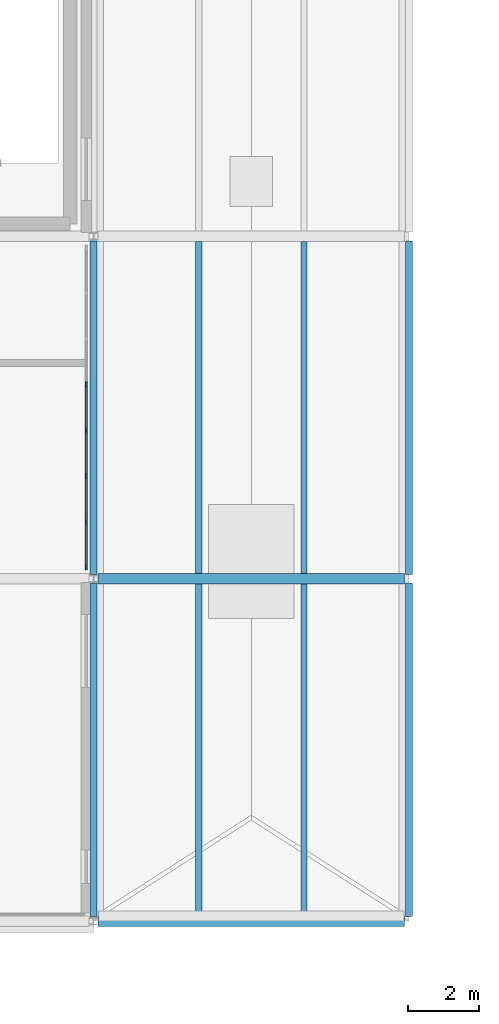
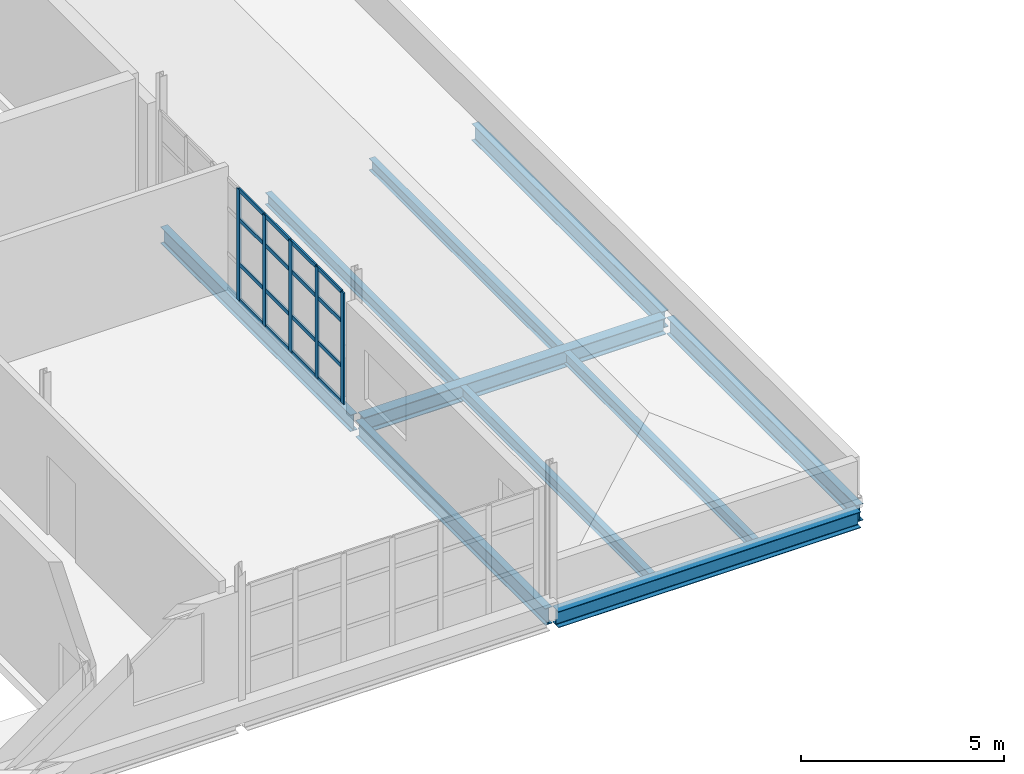
# One storey, part 5 of 16: 21 members, 10 beams, 1 element without a shape of its own.
"""IFC4 building model written with IfcOpenShell, lengths in metres."""

import ifcopenshell
import ifcopenshell.guid

model = None  # the IFC model being written
_history = None  # IfcOwnerHistory: only IFC2X3 demands one
_inside = {}  # id of a spatial element -> (the spatial element, [elements in it])
_under = {}  # id of a project, library or spatial element -> (it, [spatial elements below it])
_declared = {}  # id of a project -> (the project, [libraries it declares])
_typed = {}  # id of a type object -> (the type object, [elements of that type])
_made_of = {}  # id of a material, layer set ... -> (it, [elements and type objects made of it])


def new_model(schema):
    """Start an empty IFC model of exactly this schema.

    Asked for "IFC4X3", IfcOpenShell would pick the latest addendum, in which some entities
    have other attributes; the version numbers below select the first issue.
    IFC2X3 requires an IfcOwnerHistory on every rooted entity: one is made here for all.
    """
    global model, _history
    if schema == "IFC4X3":
        model = ifcopenshell.file(schema_version=(4, 3, 0, 0))
    else:
        model = ifcopenshell.file(schema=schema)
    _inside.clear()
    _under.clear()
    _declared.clear()
    _typed.clear()
    _made_of.clear()
    _history = None
    if model.schema == "IFC2X3":
        org = make("IfcOrganization", Name="unknown")
        user = make(
            "IfcPersonAndOrganization",
            ThePerson=make("IfcPerson", FamilyName="unknown"),
            TheOrganization=org,
        )
        app = make(
            "IfcApplication",
            ApplicationDeveloper=org,
            Version="unknown",
            ApplicationFullName="unknown",
            ApplicationIdentifier="unknown",
        )
        _history = make(
            "IfcOwnerHistory",
            OwningUser=user,
            OwningApplication=app,
            ChangeAction="ADDED",
            CreationDate=0,
        )
    return model


def make(cls, **values):
    """One entity of the class cls with the attributes given. An attribute that is None is left unset."""
    return model.create_entity(
        cls, **{name: value for name, value in values.items() if value is not None}
    )


def rooted(cls, **values):
    """An entity with a GlobalId (a new one), such as an element, a storey or a relation."""
    return make(cls, GlobalId=ifcopenshell.guid.new(), OwnerHistory=_history, **values)


def si_unit(unit_type, name, prefix=None):
    """IfcSIUnit, for example si_unit("LENGTHUNIT", "METRE", prefix="MILLI")."""
    return make("IfcSIUnit", UnitType=unit_type, Prefix=prefix, Name=name)


def assignment(units):
    """IfcUnitAssignment: the units of a project."""
    return None if units is None else make("IfcUnitAssignment", Units=units)


def point(xyz):
    """IfcCartesianPoint."""
    return None if xyz is None else make("IfcCartesianPoint", Coordinates=xyz)


def direction(xyz):
    """IfcDirection."""
    return None if xyz is None else make("IfcDirection", DirectionRatios=xyz)


def frame(location, z_axis=None, x_axis=None):
    """IfcAxis2Placement3D, a coordinate frame: its origin and axes. An axis left out is left unset."""
    return make(
        "IfcAxis2Placement3D",
        Location=point(location),
        Axis=direction(z_axis),
        RefDirection=direction(x_axis),
    )


def frame_2d(location, x_axis=None):
    """IfcAxis2Placement2D, a coordinate frame in the plane: its origin and x axis."""
    return make(
        "IfcAxis2Placement2D", Location=point(location), RefDirection=direction(x_axis)
    )


def origin():
    """The frame at (0, 0, 0) with its axes left unset."""
    return frame((0.0, 0.0, 0.0))


def origin_2d():
    """The frame at (0, 0) in the plane with its x axis left unset."""
    return frame_2d((0.0, 0.0))


def place(relative_to, where):
    """IfcLocalPlacement: puts the frame where relative to a parent placement (None: the world)."""
    return make(
        "IfcLocalPlacement", PlacementRelTo=relative_to, RelativePlacement=where
    )


def context(
    kind, dimensions, precision=None, world=None, true_north=None, identifier=None
):
    """IfcGeometricRepresentationContext, for example the 3D "Model" context."""
    return make(
        "IfcGeometricRepresentationContext",
        ContextIdentifier=identifier,
        ContextType=kind,
        CoordinateSpaceDimension=dimensions,
        Precision=precision,
        WorldCoordinateSystem=world,
        TrueNorth=true_north,
    )


def subcontext(parent, identifier, kind, view, scale=None):
    """IfcGeometricRepresentationSubContext, for example "Body" below "Model"."""
    return make(
        "IfcGeometricRepresentationSubContext",
        ContextIdentifier=identifier,
        ContextType=kind,
        ParentContext=parent,
        TargetScale=scale,
        TargetView=view,
    )


def project(units=None, contexts=None):
    """IfcProject with its units and contexts."""
    return rooted(
        "IfcProject",
        Name="project",
        RepresentationContexts=contexts,
        UnitsInContext=assignment(units),
    )


def spatial(cls, under=None, at=None, **own):
    """A site, building, storey or space (cls), placed at a placement, below another one or the project."""
    s = rooted(cls, ObjectPlacement=at, **own)
    if under is not None:
        _under.setdefault(under.id(), (under, []))[1].append(s)
    return s


def profile(cls, at=None, kind="AREA", **sizes):
    """A parametric profile (cls). Its sizes go by their IFC names, for example OverallWidth=200.0."""
    return make(cls, ProfileType=kind, Position=at, **sizes)


def rectangle(**sizes):
    """IfcRectangleProfileDef."""
    return profile("IfcRectangleProfileDef", **sizes)


def i_section(**sizes):
    """IfcIShapeProfileDef."""
    return profile("IfcIShapeProfileDef", **sizes)


def extrude(swept, where, along, depth):
    """IfcExtrudedAreaSolid: the profile swept, set in the frame where, extruded along a direction by depth."""
    return make(
        "IfcExtrudedAreaSolid",
        SweptArea=swept,
        Position=where,
        ExtrudedDirection=direction(along),
        Depth=depth,
    )


def shape(context_of_items, identifier, shape_type, items):
    """IfcShapeRepresentation: the items that make up one representation, for example the "Body"."""
    return make(
        "IfcShapeRepresentation",
        ContextOfItems=context_of_items,
        RepresentationIdentifier=identifier,
        RepresentationType=shape_type,
        Items=items,
    )


def material(Name=None, Category=None):
    """IfcMaterial."""
    return make("IfcMaterial", Name=Name, Category=Category)


def layer(
    of_material, thickness, ventilated=None, Name=None, Category=None, Priority=None
):
    """IfcMaterialLayer: one layer of a wall or slab, of a material (None: an air gap)."""
    return make(
        "IfcMaterialLayer",
        Material=of_material,
        LayerThickness=thickness,
        IsVentilated=ventilated,
        Name=Name,
        Category=Category,
        Priority=Priority,
    )


def layer_set(layers, Name=None):
    """IfcMaterialLayerSet."""
    return make("IfcMaterialLayerSet", MaterialLayers=layers, LayerSetName=Name)


def material_profile(
    of_material, cross_section, Name=None, Category=None, Priority=None
):
    """IfcMaterialProfile: a cross section and its material."""
    return make(
        "IfcMaterialProfile",
        Name=Name,
        Material=of_material,
        Profile=cross_section,
        Priority=Priority,
        Category=Category,
    )


def profile_set(profiles, Name=None, composite=None):
    """IfcMaterialProfileSet."""
    return make(
        "IfcMaterialProfileSet",
        Name=Name,
        MaterialProfiles=profiles,
        CompositeProfile=composite,
    )


def made_of(thing, what):
    """Note that an element or type object is made of a material, layer set ...; save() writes the relation."""
    if what is not None:
        _made_of.setdefault(what.id(), (what, []))[1].append(thing)
    return thing


def type_object(cls, material=None, **own):
    """A type object (cls), such as IfcWallType, which elements share."""
    return made_of(rooted(cls, **own), material)


def element(
    cls,
    number,
    at=None,
    inside=None,
    cuts=None,
    type_object=None,
    material=None,
    context=None,
    identifier="Body",
    shape_type=None,
    held_by="IfcProductDefinitionShape",
    body=None,
    shapes=None,
    **own,
):
    """One element of the class cls, such as IfcWall. Its Tag is "e" and its number.

    at: its placement. inside: the storey or other place that contains it. cuts: it is an
    opening in that element (IfcRelVoidsElement). A single representation is given by context,
    identifier, shape_type and body (its items); several are given by shapes. held_by: the class
    of the entity that holds the representations. save() writes the other relations.
    """
    e = rooted(cls, Tag="e%d" % number, ObjectPlacement=at, **own)
    if body is not None:
        shapes = [shape(context, identifier, shape_type, body)]
    if shapes is not None:
        e.Representation = make(held_by, Representations=shapes)
    if inside is not None:
        _inside.setdefault(inside.id(), (inside, []))[1].append(e)
    if cuts is not None:
        rooted(
            "IfcRelVoidsElement", RelatingBuildingElement=cuts, RelatedOpeningElement=e
        )
    if type_object is not None:
        _typed.setdefault(type_object.id(), (type_object, []))[1].append(e)
    return made_of(e, material)


def aggregate(whole, parts):
    """IfcRelAggregates: a whole, such as a stair, and the parts it consists of."""
    return rooted("IfcRelAggregates", RelatingObject=whole, RelatedObjects=parts)


def save(model, path):
    """Write the relations noted so far, then the file.

    IfcRelAggregates (storeys below a building ...), IfcRelContainedInSpatialStructure (elements
    in a storey), IfcRelDefinesByType, IfcRelAssociatesMaterial and IfcRelDeclares: one each for
    every whole, place, type object, material and project.
    """
    for whole, parts in _under.values():
        aggregate(whole, parts)
    for where, things in _inside.values():
        rooted(
            "IfcRelContainedInSpatialStructure",
            RelatedElements=things,
            RelatingStructure=where,
        )
    for kind, things in _typed.values():
        rooted("IfcRelDefinesByType", RelatedObjects=things, RelatingType=kind)
    for what, things in _made_of.values():
        rooted("IfcRelAssociatesMaterial", RelatedObjects=things, RelatingMaterial=what)
    for by, libraries in _declared.values():
        rooted("IfcRelDeclares", RelatingContext=by, RelatedDefinitions=libraries)
    model.write(path)


model = new_model("IFC4")

# Units and contexts
model_context = context("Model", 3, precision=1e-05, world=origin(), true_north=direction((0.0, 1.0)))
body_context = subcontext(model_context, "Body", "Model", "MODEL_VIEW")
ifc_project = project(units=[si_unit("LENGTHUNIT", "METRE"), si_unit("AREAUNIT", "SQUARE_METRE"), si_unit("VOLUMEUNIT", "CUBIC_METRE"), si_unit("PLANEANGLEUNIT", "RADIAN"), si_unit("MASSUNIT", "GRAM", prefix="KILO")], contexts=[model_context])

# Site, building, storey
site_placement = place(None, origin())
site = spatial("IfcSite", under=ifc_project, at=site_placement, CompositionType="ELEMENT")
building_placement = place(site_placement, origin())
building = spatial("IfcBuilding", under=site, at=building_placement, Name="Yeouljin Market Hall", CompositionType="ELEMENT")
storey_placement = place(building_placement, frame((0.0, 0.0, 19.199951171875)))
storey = spatial("IfcBuildingStorey", under=building, at=storey_placement, Name="L04", CompositionType="ELEMENT", Elevation=19.199951171875)

# Beams
ifc_material_1 = material(Name="Steel SM355", Category="steel")
ifc_material_profile_1 = material_profile(ifc_material_1, i_section(OverallWidth=0.199951171875, OverallDepth=0.5, WebThickness=0.010009765625, FlangeThickness=0.01611328125, FilletRadius=0.02001953125, at=origin_2d()), Name="H-500x200x10x16")
ifc_profile_set_1 = profile_set([ifc_material_profile_1], Name="Steel SM355")
beam_type_1 = type_object("IfcBeamType", Name="Beam_H-500x200x10x16", PredefinedType="BEAM", material=ifc_profile_set_1)
beam_1_placement = place(storey_placement, frame((17.699951171875, 0.125, -0.530029296875), z_axis=(0.0, 1.0, 0.0), x_axis=(-1.0, 0.0, 0.0)))
element("IfcBeam", 1, at=beam_1_placement, inside=storey, type_object=beam_type_1, Name="Primary beam BM-L04-Y035", PredefinedType="BEAM", context=body_context, shape_type="SweptSolid", body=[
    extrude(i_section(OverallWidth=0.199951171875, OverallDepth=0.5, WebThickness=0.010009765625, FlangeThickness=0.01611328125, FilletRadius=0.02001953125, at=origin_2d()), origin(), (0.0, 0.0, 1.0), 9.35009765625),
])
beam_2_placement = place(storey_placement, frame((17.699951171875, 9.72509765625, -0.530029296875), z_axis=(0.0, 1.0, 0.0), x_axis=(-1.0, 0.0, 0.0)))
element("IfcBeam", 2, at=beam_2_placement, inside=storey, type_object=beam_type_1, Name="Primary beam BM-L04-Y036", PredefinedType="BEAM", context=body_context, shape_type="SweptSolid", body=[
    extrude(i_section(OverallWidth=0.199951171875, OverallDepth=0.5, WebThickness=0.010009765625, FlangeThickness=0.01611328125, FilletRadius=0.02001953125, at=origin_2d()), origin(), (0.0, 0.0, 1.0), 9.349853515625),
])
beam_3_placement = place(storey_placement, frame((26.550048828125, 0.125, -0.530029296875), z_axis=(0.0, 1.0, 0.0), x_axis=(-1.0, 0.0, 0.0)))
element("IfcBeam", 3, at=beam_3_placement, inside=storey, type_object=beam_type_1, Name="Primary beam BM-L04-Y039", PredefinedType="BEAM", context=body_context, shape_type="SweptSolid", body=[
    extrude(i_section(OverallWidth=0.199951171875, OverallDepth=0.5, WebThickness=0.010009765625, FlangeThickness=0.01611328125, FilletRadius=0.02001953125, at=origin_2d()), origin(), (0.0, 0.0, 1.0), 9.35009765625),
])
beam_4_placement = place(storey_placement, frame((26.550048828125, 9.72509765625, -0.530029296875), z_axis=(0.0, 1.0, 0.0), x_axis=(-1.0, 0.0, 0.0)))
element("IfcBeam", 4, at=beam_4_placement, inside=storey, type_object=beam_type_1, Name="Primary beam BM-L04-Y040", PredefinedType="BEAM", context=body_context, shape_type="SweptSolid", body=[
    extrude(i_section(OverallWidth=0.199951171875, OverallDepth=0.5, WebThickness=0.010009765625, FlangeThickness=0.01611328125, FilletRadius=0.02001953125, at=origin_2d()), origin(), (0.0, 0.0, 1.0), 9.349853515625),
])

# Curtain wall, members
ifc_material_2 = material(Name="Thermally Broken Aluminium", Category="aluminium")
ifc_layer = layer(ifc_material_2, 0.14990234375)
ifc_layer_set = layer_set([ifc_layer], Name="Thermally Broken Aluminium")
curtain_wall_type = type_object("IfcCurtainWallType", Name="CW_AcademyRibbon_System", PredefinedType="USERDEFINED", material=ifc_layer_set)
curtain_wall_placement = place(storey_placement, origin())
curtain_wall = element("IfcCurtainWall", 5, at=curtain_wall_placement, inside=storey, type_object=curtain_wall_type, Name="Curtain wall CW-L04-W11", ObjectType="CURTAIN WALL", PredefinedType="USERDEFINED")
ifc_material_3 = material(Name="Thermally Broken Aluminium", Category="aluminium")
ifc_material_profile_2 = material_profile(ifc_material_3, rectangle(XDim=0.048095703125, YDim=0.14990234375, at=origin_2d()), Name="CW-MULL-48x150")
ifc_profile_set_2 = profile_set([ifc_material_profile_2], Name="Thermally Broken Aluminium")
member_type_1 = type_object("IfcMemberType", Name="CWMullion_48x150", PredefinedType="MULLION", material=ifc_profile_set_2)
member_1_placement = place(storey_placement, frame((17.5, 15.04296875, 0.0), z_axis=(0.0, 0.0, 1.0), x_axis=(1.0, 0.0, 0.0)))
member_1 = element("IfcMember", 6, at=member_1_placement, type_object=member_type_1, Name="CW-05 mullion 4", PredefinedType="MULLION", context=body_context, shape_type="SweptSolid", body=[
    extrude(rectangle(XDim=0.048095703125, YDim=0.14990234375, at=origin_2d()), origin(), (0.0, 0.0, 1.0), 3.35009765625),
])
member_2_placement = place(storey_placement, frame((17.5, 13.757080078125, 0.0), z_axis=(0.0, 0.0, 1.0), x_axis=(1.0, 0.0, 0.0)))
member_2 = element("IfcMember", 7, at=member_2_placement, type_object=member_type_1, Name="CW-05 mullion 5", PredefinedType="MULLION", context=body_context, shape_type="SweptSolid", body=[
    extrude(rectangle(XDim=0.048095703125, YDim=0.14990234375, at=origin_2d()), origin(), (0.0, 0.0, 1.0), 3.35009765625),
])
member_3_placement = place(storey_placement, frame((17.5, 12.471435546875, 0.0), z_axis=(0.0, 0.0, 1.0), x_axis=(1.0, 0.0, 0.0)))
member_3 = element("IfcMember", 8, at=member_3_placement, type_object=member_type_1, Name="CW-05 mullion 6", PredefinedType="MULLION", context=body_context, shape_type="SweptSolid", body=[
    extrude(rectangle(XDim=0.048095703125, YDim=0.14990234375, at=origin_2d()), origin(), (0.0, 0.0, 1.0), 3.35009765625),
])
member_4_placement = place(storey_placement, frame((17.5, 11.185791015625, 0.0), z_axis=(0.0, 0.0, 1.0), x_axis=(1.0, 0.0, 0.0)))
member_4 = element("IfcMember", 9, at=member_4_placement, type_object=member_type_1, Name="CW-05 mullion 7", PredefinedType="MULLION", context=body_context, shape_type="SweptSolid", body=[
    extrude(rectangle(XDim=0.048095703125, YDim=0.14990234375, at=origin_2d()), origin(), (0.0, 0.0, 1.0), 3.35009765625),
])
member_5_placement = place(storey_placement, frame((17.5, 9.924072265625, 0.0), z_axis=(0.0, 0.0, 1.0), x_axis=(1.0, 0.0, 0.0)))
member_5 = element("IfcMember", 10, at=member_5_placement, type_object=member_type_1, Name="CW-05 mullion 8", PredefinedType="MULLION", context=body_context, shape_type="SweptSolid", body=[
    extrude(rectangle(XDim=0.048095703125, YDim=0.14990234375, at=origin_2d()), origin(), (0.0, 0.0, 1.0), 3.35009765625),
])
ifc_material_4 = material(Name="Thermally Broken Aluminium", Category="aluminium")
ifc_material_profile_3 = material_profile(ifc_material_4, rectangle(XDim=0.048095703125, YDim=0.1201171875, at=origin_2d()), Name="CW-TRAN-48x120")
ifc_profile_set_3 = profile_set([ifc_material_profile_3], Name="Thermally Broken Aluminium")
member_type_2 = type_object("IfcMemberType", Name="CWTransom_48x120", PredefinedType="USERDEFINED", material=ifc_profile_set_3)
member_6_placement = place(storey_placement, frame((17.5, 15.018798828125, 0.024169921875), z_axis=(0.0, -1.0, 0.0), x_axis=(1.0, 0.0, 0.0)))
member_6 = element("IfcMember", 11, at=member_6_placement, type_object=member_type_2, Name="CW-05 transom 4.1", ObjectType="TRANSOM", PredefinedType="USERDEFINED", context=body_context, shape_type="SweptSolid", body=[
    extrude(rectangle(XDim=0.048095703125, YDim=0.1201171875, at=origin_2d()), origin(), (0.0, 0.0, 1.0), 1.237548828125),
])
member_7_placement = place(storey_placement, frame((17.5, 15.018798828125, 1.10009765625), z_axis=(0.0, -1.0, 0.0), x_axis=(1.0, 0.0, 0.0)))
member_7 = element("IfcMember", 12, at=member_7_placement, type_object=member_type_2, Name="CW-05 transom 4.2", ObjectType="TRANSOM", PredefinedType="USERDEFINED", context=body_context, shape_type="SweptSolid", body=[
    extrude(rectangle(XDim=0.048095703125, YDim=0.1201171875, at=origin_2d()), origin(), (0.0, 0.0, 1.0), 1.237548828125),
])
member_8_placement = place(storey_placement, frame((17.5, 15.018798828125, 2.449951171875), z_axis=(0.0, -1.0, 0.0), x_axis=(1.0, 0.0, 0.0)))
member_8 = element("IfcMember", 13, at=member_8_placement, type_object=member_type_2, Name="CW-05 transom 4.3", ObjectType="TRANSOM", PredefinedType="USERDEFINED", context=body_context, shape_type="SweptSolid", body=[
    extrude(rectangle(XDim=0.048095703125, YDim=0.1201171875, at=origin_2d()), origin(), (0.0, 0.0, 1.0), 1.237548828125),
])
member_9_placement = place(storey_placement, frame((17.5, 15.018798828125, 3.325927734375), z_axis=(0.0, -1.0, 0.0), x_axis=(1.0, 0.0, 0.0)))
member_9 = element("IfcMember", 14, at=member_9_placement, type_object=member_type_2, Name="CW-05 transom 4.4", ObjectType="TRANSOM", PredefinedType="USERDEFINED", context=body_context, shape_type="SweptSolid", body=[
    extrude(rectangle(XDim=0.048095703125, YDim=0.1201171875, at=origin_2d()), origin(), (0.0, 0.0, 1.0), 1.237548828125),
])
member_10_placement = place(storey_placement, frame((17.5, 13.733154296875, 0.024169921875), z_axis=(0.0, -1.0, 0.0), x_axis=(1.0, 0.0, 0.0)))
member_10 = element("IfcMember", 15, at=member_10_placement, type_object=member_type_2, Name="CW-05 transom 5.1", ObjectType="TRANSOM", PredefinedType="USERDEFINED", context=body_context, shape_type="SweptSolid", body=[
    extrude(rectangle(XDim=0.048095703125, YDim=0.1201171875, at=origin_2d()), origin(), (0.0, 0.0, 1.0), 1.23779296875),
])
member_11_placement = place(storey_placement, frame((17.5, 13.733154296875, 1.10009765625), z_axis=(0.0, -1.0, 0.0), x_axis=(1.0, 0.0, 0.0)))
member_11 = element("IfcMember", 16, at=member_11_placement, type_object=member_type_2, Name="CW-05 transom 5.2", ObjectType="TRANSOM", PredefinedType="USERDEFINED", context=body_context, shape_type="SweptSolid", body=[
    extrude(rectangle(XDim=0.048095703125, YDim=0.1201171875, at=origin_2d()), origin(), (0.0, 0.0, 1.0), 1.23779296875),
])
member_12_placement = place(storey_placement, frame((17.5, 13.733154296875, 2.449951171875), z_axis=(0.0, -1.0, 0.0), x_axis=(1.0, 0.0, 0.0)))
member_12 = element("IfcMember", 17, at=member_12_placement, type_object=member_type_2, Name="CW-05 transom 5.3", ObjectType="TRANSOM", PredefinedType="USERDEFINED", context=body_context, shape_type="SweptSolid", body=[
    extrude(rectangle(XDim=0.048095703125, YDim=0.1201171875, at=origin_2d()), origin(), (0.0, 0.0, 1.0), 1.23779296875),
])
member_13_placement = place(storey_placement, frame((17.5, 13.733154296875, 3.325927734375), z_axis=(0.0, -1.0, 0.0), x_axis=(1.0, 0.0, 0.0)))
member_13 = element("IfcMember", 18, at=member_13_placement, type_object=member_type_2, Name="CW-05 transom 5.4", ObjectType="TRANSOM", PredefinedType="USERDEFINED", context=body_context, shape_type="SweptSolid", body=[
    extrude(rectangle(XDim=0.048095703125, YDim=0.1201171875, at=origin_2d()), origin(), (0.0, 0.0, 1.0), 1.23779296875),
])
member_14_placement = place(storey_placement, frame((17.5, 12.447509765625, 0.024169921875), z_axis=(0.0, -1.0, 0.0), x_axis=(1.0, 0.0, 0.0)))
member_14 = element("IfcMember", 19, at=member_14_placement, type_object=member_type_2, Name="CW-05 transom 6.1", ObjectType="TRANSOM", PredefinedType="USERDEFINED", context=body_context, shape_type="SweptSolid", body=[
    extrude(rectangle(XDim=0.048095703125, YDim=0.1201171875, at=origin_2d()), origin(), (0.0, 0.0, 1.0), 1.23779296875),
])
member_15_placement = place(storey_placement, frame((17.5, 12.447509765625, 1.10009765625), z_axis=(0.0, -1.0, 0.0), x_axis=(1.0, 0.0, 0.0)))
member_15 = element("IfcMember", 20, at=member_15_placement, type_object=member_type_2, Name="CW-05 transom 6.2", ObjectType="TRANSOM", PredefinedType="USERDEFINED", context=body_context, shape_type="SweptSolid", body=[
    extrude(rectangle(XDim=0.048095703125, YDim=0.1201171875, at=origin_2d()), origin(), (0.0, 0.0, 1.0), 1.23779296875),
])
member_16_placement = place(storey_placement, frame((17.5, 12.447509765625, 2.449951171875), z_axis=(0.0, -1.0, 0.0), x_axis=(1.0, 0.0, 0.0)))
member_16 = element("IfcMember", 21, at=member_16_placement, type_object=member_type_2, Name="CW-05 transom 6.3", ObjectType="TRANSOM", PredefinedType="USERDEFINED", context=body_context, shape_type="SweptSolid", body=[
    extrude(rectangle(XDim=0.048095703125, YDim=0.1201171875, at=origin_2d()), origin(), (0.0, 0.0, 1.0), 1.23779296875),
])
member_17_placement = place(storey_placement, frame((17.5, 12.447509765625, 3.325927734375), z_axis=(0.0, -1.0, 0.0), x_axis=(1.0, 0.0, 0.0)))
member_17 = element("IfcMember", 22, at=member_17_placement, type_object=member_type_2, Name="CW-05 transom 6.4", ObjectType="TRANSOM", PredefinedType="USERDEFINED", context=body_context, shape_type="SweptSolid", body=[
    extrude(rectangle(XDim=0.048095703125, YDim=0.1201171875, at=origin_2d()), origin(), (0.0, 0.0, 1.0), 1.23779296875),
])
member_18_placement = place(storey_placement, frame((17.5, 11.16162109375, 0.024169921875), z_axis=(0.0, -1.0, 0.0), x_axis=(1.0, 0.0, 0.0)))
member_18 = element("IfcMember", 23, at=member_18_placement, type_object=member_type_2, Name="CW-05 transom 7.1", ObjectType="TRANSOM", PredefinedType="USERDEFINED", context=body_context, shape_type="SweptSolid", body=[
    extrude(rectangle(XDim=0.048095703125, YDim=0.1201171875, at=origin_2d()), origin(), (0.0, 0.0, 1.0), 1.213623046875),
])
member_19_placement = place(storey_placement, frame((17.5, 11.16162109375, 1.10009765625), z_axis=(0.0, -1.0, 0.0), x_axis=(1.0, 0.0, 0.0)))
member_19 = element("IfcMember", 24, at=member_19_placement, type_object=member_type_2, Name="CW-05 transom 7.2", ObjectType="TRANSOM", PredefinedType="USERDEFINED", context=body_context, shape_type="SweptSolid", body=[
    extrude(rectangle(XDim=0.048095703125, YDim=0.1201171875, at=origin_2d()), origin(), (0.0, 0.0, 1.0), 1.213623046875),
])
member_20_placement = place(storey_placement, frame((17.5, 11.16162109375, 2.449951171875), z_axis=(0.0, -1.0, 0.0), x_axis=(1.0, 0.0, 0.0)))
member_20 = element("IfcMember", 25, at=member_20_placement, type_object=member_type_2, Name="CW-05 transom 7.3", ObjectType="TRANSOM", PredefinedType="USERDEFINED", context=body_context, shape_type="SweptSolid", body=[
    extrude(rectangle(XDim=0.048095703125, YDim=0.1201171875, at=origin_2d()), origin(), (0.0, 0.0, 1.0), 1.213623046875),
])
member_21_placement = place(storey_placement, frame((17.5, 11.16162109375, 3.325927734375), z_axis=(0.0, -1.0, 0.0), x_axis=(1.0, 0.0, 0.0)))
member_21 = element("IfcMember", 26, at=member_21_placement, type_object=member_type_2, Name="CW-05 transom 7.4", ObjectType="TRANSOM", PredefinedType="USERDEFINED", context=body_context, shape_type="SweptSolid", body=[
    extrude(rectangle(XDim=0.048095703125, YDim=0.1201171875, at=origin_2d()), origin(), (0.0, 0.0, 1.0), 1.213623046875),
])
aggregate(curtain_wall, [member_1, member_2, member_3, member_4, member_5, member_6, member_7, member_8, member_9, member_10, member_11, member_12, member_13, member_14, member_15, member_16, member_17, member_18, member_19, member_20, member_21])

# Beams
ifc_material_5 = material(Name="Steel SM355", Category="steel")
ifc_material_profile_4 = material_profile(ifc_material_5, i_section(OverallWidth=0.300048828125, OverallDepth=0.488037109375, WebThickness=0.010986328125, FlangeThickness=0.01806640625, FilletRadius=0.02197265625, at=origin_2d()), Name="H-488x300x11x18")
ifc_profile_set_4 = profile_set([ifc_material_profile_4], Name="Steel SM355")
beam_type_2 = type_object("IfcBeamType", Name="Girder_H-488x300x11x18", PredefinedType="USERDEFINED", material=ifc_profile_set_4)
for number, where, z_axis, x_axis, name in (
    (27, (17.824951171875, 0.0, -0.52392578125), (1.0, 0.0, 0.0), (0.0, 1.0, 0.0), "Primary girder GRD-L04-X003"),
    (28, (17.824951171875, 9.60009765625, -0.52392578125), (1.0, 0.0, 0.0), (0.0, 1.0, 0.0), "Primary girder GRD-L04-X009"),
):
    element("IfcBeam", number, at=place(storey_placement, frame(where, z_axis=z_axis, x_axis=x_axis)), inside=storey, type_object=beam_type_2, Name=name, ObjectType="GIRDER", PredefinedType="USERDEFINED", context=body_context, shape_type="SweptSolid", body=[
        extrude(i_section(OverallWidth=0.300048828125, OverallDepth=0.488037109375, WebThickness=0.010986328125, FlangeThickness=0.01806640625, FilletRadius=0.02197265625, at=origin_2d()), origin(), (0.0, 0.0, 1.0), 8.60009765625),
    ])
ifc_material_6 = material(Name="Steel SM355", Category="steel")
ifc_material_profile_5 = material_profile(ifc_material_6, i_section(OverallWidth=0.175048828125, OverallDepth=0.35009765625, WebThickness=0.007080078125, FlangeThickness=0.010986328125, FilletRadius=0.013916015625, at=origin_2d()), Name="H-350x175x7x11")
ifc_profile_set_5 = profile_set([ifc_material_profile_5], Name="Steel SM355")
beam_type_3 = type_object("IfcBeamType", Name="Joist_H-350x175x7x11", PredefinedType="JOIST", material=ifc_profile_set_5)
for number, where, z_axis, x_axis, name in (
    (29, (20.64990234375, 0.14697265625, -0.454833984375), (0.0, 1.0, 0.0), (-1.0, 0.0, 0.0), "Secondary floor joist L04-014"),
    (30, (23.60009765625, 0.14697265625, -0.454833984375), (0.0, 1.0, 0.0), (-1.0, 0.0, 0.0), "Secondary floor joist L04-015"),
    (31, (20.64990234375, 9.7470703125, -0.454833984375), (0.0, 1.0, 0.0), (-1.0, 0.0, 0.0), "Secondary floor joist L04-016"),
    (32, (23.60009765625, 9.7470703125, -0.454833984375), (0.0, 1.0, 0.0), (-1.0, 0.0, 0.0), "Secondary floor joist L04-017"),
):
    element("IfcBeam", number, at=place(storey_placement, frame(where, z_axis=z_axis, x_axis=x_axis)), inside=storey, type_object=beam_type_3, Name=name, PredefinedType="JOIST", context=body_context, shape_type="SweptSolid", body=[
        extrude(i_section(OverallWidth=0.175048828125, OverallDepth=0.35009765625, WebThickness=0.007080078125, FlangeThickness=0.010986328125, FilletRadius=0.013916015625, at=origin_2d()), origin(), (0.0, 0.0, 1.0), 9.305908203125),
    ])

save(model, "model.ifc")
